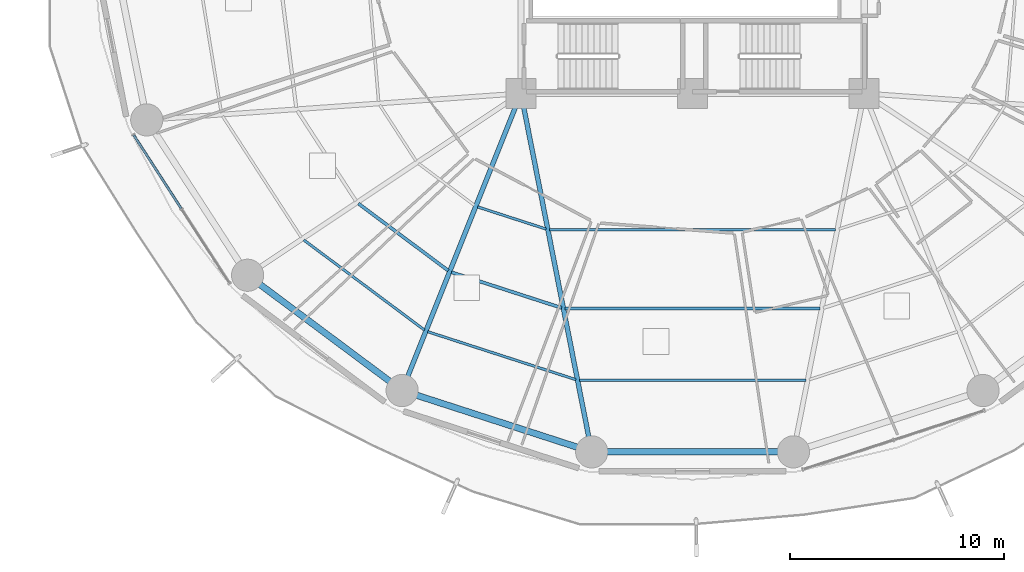
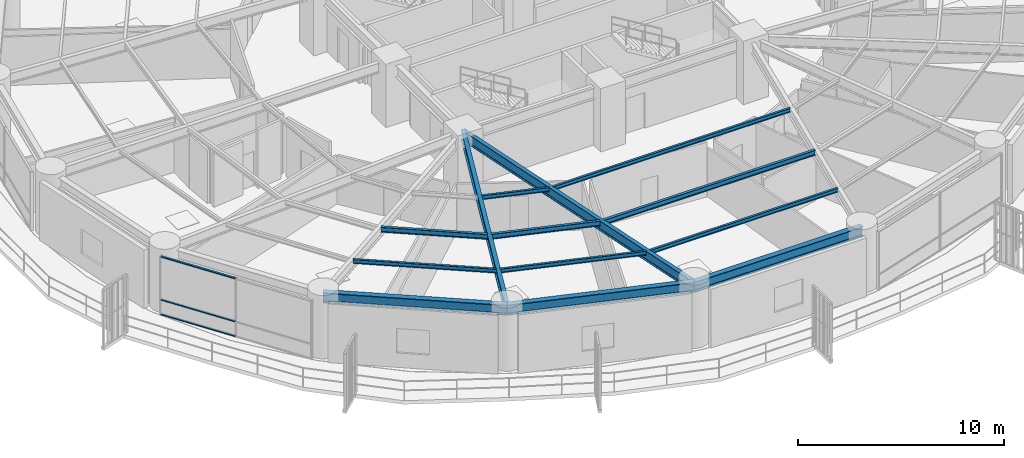
# One storey, part 3 of 32: 13 beams, 3 members, 1 element without a shape of its own.
"""IFC4 building model written with IfcOpenShell, lengths in metres."""

from ifc_helpers import new_model, si_unit, direction, frame, origin, origin_2d, place, context, subcontext, project, spatial, hollow_rectangle, i_section, extrude, material, layer, layer_set, material_profile, profile_set, type_object, element, aggregate, save


model = new_model("IFC4")

# Units and contexts
model_context = context("Model", 3, precision=1e-05, world=origin(), true_north=direction((0.0, 1.0)))
body_context = subcontext(model_context, "Body", "Model", "MODEL_VIEW")
ifc_project = project(units=[si_unit("LENGTHUNIT", "METRE"), si_unit("AREAUNIT", "SQUARE_METRE"), si_unit("VOLUMEUNIT", "CUBIC_METRE"), si_unit("PLANEANGLEUNIT", "RADIAN"), si_unit("MASSUNIT", "GRAM", prefix="KILO")], contexts=[model_context])

# Site, building, storey
site_placement = place(None, origin())
site = spatial("IfcSite", under=ifc_project, at=site_placement, CompositionType="ELEMENT")
building_placement = place(site_placement, origin())
building = spatial("IfcBuilding", under=site, at=building_placement, Name="Kelanora Arch Commons", CompositionType="ELEMENT")
storey_placement = place(building_placement, frame((0.0, 0.0, 56.25)))
storey = spatial("IfcBuildingStorey", under=building, at=storey_placement, Name="L14", CompositionType="ELEMENT", Elevation=56.25)

# Beams
ifc_material_1 = material(Name="Steel S355", Category="steel")
ifc_material_profile_1 = material_profile(ifc_material_1, i_section(OverallWidth=0.14990234375, OverallDepth=0.300048828125, WebThickness=0.007080078125, FlangeThickness=0.0107421875, FilletRadius=0.014892578125, at=origin_2d()), Name="IPE300")
ifc_profile_set_1 = profile_set([ifc_material_profile_1], Name="Steel S355")
beam_type_1 = type_object("IfcBeamType", Name="BM-JST-01", PredefinedType="JOIST", material=ifc_profile_set_1)
beam_1_placement = place(storey_placement, frame((58.42138671875, 45.8623046875, 3.340087890625), z_axis=(0.801478251559, -0.598023922831, 0.0), x_axis=(0.598023922831, 0.801478251559, 0.0)))
element("IfcBeam", 1, at=beam_1_placement, inside=storey, type_object=beam_type_1, Name="Secondary Chord Joist BJB-22 L14", PredefinedType="JOIST", context=body_context, shape_type="SweptSolid", body=[
    extrude(i_section(OverallWidth=0.14990234375, OverallDepth=0.300048828125, WebThickness=0.007080078125, FlangeThickness=0.0107421875, FilletRadius=0.014892578125, at=origin_2d()), origin(), (0.0, 0.0, 1.0), 5.223388671875),
])
beam_2_placement = place(storey_placement, frame((62.7568359375, 42.66162109375, 3.340087890625), z_axis=(0.951412209627, -0.307920131482, 0.0), x_axis=(0.307920131482, 0.951412209627, 0.0)))
element("IfcBeam", 2, at=beam_2_placement, inside=storey, type_object=beam_type_1, Name="Secondary Chord Joist BJB-24 L14", PredefinedType="JOIST", context=body_context, shape_type="SweptSolid", body=[
    extrude(i_section(OverallWidth=0.14990234375, OverallDepth=0.300048828125, WebThickness=0.007080078125, FlangeThickness=0.0107421875, FilletRadius=0.014892578125, at=origin_2d()), origin(), (0.0, 0.0, 1.0), 5.4033203125),
])
beam_3_placement = place(storey_placement, frame((68.063720703125, 40.971435546875, 3.340087890625), z_axis=(1.0, 0.0, 0.0), x_axis=(0.0, 1.0, 0.0)))
element("IfcBeam", 3, at=beam_3_placement, inside=storey, type_object=beam_type_1, Name="Secondary Chord Joist BJB-26 L14", PredefinedType="JOIST", context=body_context, shape_type="SweptSolid", body=[
    extrude(i_section(OverallWidth=0.14990234375, OverallDepth=0.300048828125, WebThickness=0.007080078125, FlangeThickness=0.0107421875, FilletRadius=0.014892578125, at=origin_2d()), origin(), (0.0, 0.0, 1.0), 11.87255859375),
])
ifc_material_profile_2 = material_profile(ifc_material_1, i_section(OverallWidth=0.1201171875, OverallDepth=0.239990234375, WebThickness=0.006103515625, FlangeThickness=0.009765625, FilletRadius=0.014892578125, at=origin_2d()), Name="IPE240")
ifc_profile_set_2 = profile_set([ifc_material_profile_2], Name="Steel S355")
beam_type_2 = type_object("IfcBeamType", Name="BM-JST-02", PredefinedType="JOIST", material=ifc_profile_set_2)
beam_4_placement = place(storey_placement, frame((55.87255859375, 44.16650390625, 3.3701171875), z_axis=(0.80149131963, -0.598006408459, 0.0), x_axis=(0.598006408459, 0.80149131963, 0.0)))
element("IfcBeam", 4, at=beam_4_placement, inside=storey, type_object=beam_type_2, Name="Secondary Chord Joist BJC-22 L14", PredefinedType="JOIST", context=body_context, shape_type="SweptSolid", body=[
    extrude(i_section(OverallWidth=0.1201171875, OverallDepth=0.239990234375, WebThickness=0.006103515625, FlangeThickness=0.009765625, FilletRadius=0.014892578125, at=origin_2d()), origin(), (0.0, 0.0, 1.0), 7.021240234375),
])
beam_5_placement = place(storey_placement, frame((63.9755859375, 45.709228515625, 3.3701171875), z_axis=(0.951422608074, -0.30788800049, 0.0), x_axis=(0.30788800049, 0.951422608074, 0.0)))
element("IfcBeam", 5, at=beam_5_placement, inside=storey, type_object=beam_type_2, Name="Secondary Chord Joist BJA-24 L14", PredefinedType="JOIST", context=body_context, shape_type="SweptSolid", body=[
    extrude(i_section(OverallWidth=0.1201171875, OverallDepth=0.239990234375, WebThickness=0.006103515625, FlangeThickness=0.009765625, FilletRadius=0.014892578125, at=origin_2d()), origin(), (0.0, 0.0, 1.0), 3.359619140625),
])
beam_6_placement = place(storey_placement, frame((61.64892578125, 39.890625, 3.3701171875), z_axis=(0.951410915705, -0.307924129418, 0.0), x_axis=(0.307924129418, 0.951410915705, 0.0)))
element("IfcBeam", 6, at=beam_6_placement, inside=storey, type_object=beam_type_2, Name="Secondary Chord Joist BJC-24 L14", PredefinedType="JOIST", context=body_context, shape_type="SweptSolid", body=[
    extrude(i_section(OverallWidth=0.1201171875, OverallDepth=0.239990234375, WebThickness=0.006103515625, FlangeThickness=0.009765625, FilletRadius=0.014892578125, at=origin_2d()), origin(), (0.0, 0.0, 1.0), 7.260986328125),
])
beam_7_placement = place(storey_placement, frame((67.338134765625, 44.648681640625, 3.3701171875), z_axis=(1.0, 0.0, 0.0), x_axis=(0.0, 1.0, 0.0)))
element("IfcBeam", 7, at=beam_7_placement, inside=storey, type_object=beam_type_2, Name="Secondary Chord Joist BJA-26 L14", PredefinedType="JOIST", context=body_context, shape_type="SweptSolid", body=[
    extrude(i_section(OverallWidth=0.1201171875, OverallDepth=0.239990234375, WebThickness=0.006103515625, FlangeThickness=0.009765625, FilletRadius=0.014892578125, at=origin_2d()), origin(), (0.0, 0.0, 1.0), 13.32373046875),
])
beam_8_placement = place(storey_placement, frame((68.72314453125, 37.628662109375, 3.3701171875), z_axis=(1.0, 0.0, 0.0), x_axis=(0.0, 1.0, 0.0)))
element("IfcBeam", 8, at=beam_8_placement, inside=storey, type_object=beam_type_2, Name="Secondary Chord Joist BJC-26 L14", PredefinedType="JOIST", context=body_context, shape_type="SweptSolid", body=[
    extrude(i_section(OverallWidth=0.1201171875, OverallDepth=0.239990234375, WebThickness=0.006103515625, FlangeThickness=0.009765625, FilletRadius=0.014892578125, at=origin_2d()), origin(), (0.0, 0.0, 1.0), 10.5537109375),
])
ifc_material_profile_3 = material_profile(ifc_material_1, i_section(OverallWidth=0.219970703125, OverallDepth=0.60009765625, WebThickness=0.011962890625, FlangeThickness=0.01904296875, FilletRadius=0.02392578125, at=origin_2d()), Name="IPE600")
ifc_profile_set_3 = profile_set([ifc_material_profile_3], Name="Steel S355")
beam_type_3 = type_object("IfcBeamType", Name="BM-RAD-Z1", PredefinedType="BEAM", material=ifc_profile_set_3)
beam_9_placement = place(storey_placement, frame((66.0, 51.0, 3.18994140625), z_axis=(-0.371300398117, -0.928512797089, 0.0), x_axis=(0.928512797089, -0.371300398117, 0.0)))
element("IfcBeam", 9, at=beam_9_placement, inside=storey, type_object=beam_type_3, Name="Radial Floor Girder BR-24 L14", PredefinedType="BEAM", context=body_context, shape_type="SweptSolid", body=[
    extrude(i_section(OverallWidth=0.219970703125, OverallDepth=0.60009765625, WebThickness=0.011962890625, FlangeThickness=0.01904296875, FilletRadius=0.02392578125, at=origin_2d()), origin(), (0.0, 0.0, 1.0), 14.920654296875),
])
beam_10_placement = place(storey_placement, frame((66.0, 51.0, 3.18994140625), z_axis=(0.19356352044, -0.981087745084, 0.0), x_axis=(0.981087745084, 0.19356352044, 0.0)))
element("IfcBeam", 10, at=beam_10_placement, inside=storey, type_object=beam_type_3, Name="Radial Floor Girder BR-26 L14", PredefinedType="BEAM", context=body_context, shape_type="SweptSolid", body=[
    extrude(i_section(OverallWidth=0.219970703125, OverallDepth=0.60009765625, WebThickness=0.011962890625, FlangeThickness=0.01904296875, FilletRadius=0.02392578125, at=origin_2d()), origin(), (0.0, 0.0, 1.0), 17.036376953125),
])
ifc_material_profile_4 = material_profile(ifc_material_1, i_section(OverallWidth=0.300048828125, OverallDepth=0.60009765625, WebThickness=0.015380859375, FlangeThickness=0.030029296875, FilletRadius=0.027099609375, at=origin_2d()), Name="HEB600")
ifc_profile_set_4 = profile_set([ifc_material_profile_4], Name="Steel S355")
beam_type_4 = type_object("IfcBeamType", Name="BM-SPN-Z1", PredefinedType="SPANDREL", material=ifc_profile_set_4)
beam_11_placement = place(storey_placement, frame((53.255615234375, 42.521728515625, 3.18994140625), z_axis=(0.801467504127, -0.598038326388, 0.0), x_axis=(0.598038326388, 0.801467504127, 0.0)))
element("IfcBeam", 11, at=beam_11_placement, inside=storey, type_object=beam_type_4, Name="Perimeter Spandrel Beam BS-22 L14", PredefinedType="SPANDREL", context=body_context, shape_type="SweptSolid", body=[
    extrude(i_section(OverallWidth=0.300048828125, OverallDepth=0.60009765625, WebThickness=0.015380859375, FlangeThickness=0.030029296875, FilletRadius=0.027099609375, at=origin_2d()), origin(), (0.0, 0.0, 1.0), 8.989013671875),
])
beam_12_placement = place(storey_placement, frame((60.4599609375, 37.14599609375, 3.18994140625), z_axis=(0.951417120402, -0.307904957748, 0.0), x_axis=(0.307904957748, 0.951417120402, 0.0)))
element("IfcBeam", 12, at=beam_12_placement, inside=storey, type_object=beam_type_4, Name="Perimeter Spandrel Beam BS-24 L14", PredefinedType="SPANDREL", context=body_context, shape_type="SweptSolid", body=[
    extrude(i_section(OverallWidth=0.300048828125, OverallDepth=0.60009765625, WebThickness=0.015380859375, FlangeThickness=0.030029296875, FilletRadius=0.027099609375, at=origin_2d()), origin(), (0.0, 0.0, 1.0), 9.288818359375),
])
beam_13_placement = place(storey_placement, frame((69.297607421875, 34.285888671875, 3.18994140625), z_axis=(1.0, 0.0, 0.0), x_axis=(0.0, 1.0, 0.0)))
element("IfcBeam", 13, at=beam_13_placement, inside=storey, type_object=beam_type_4, Name="Perimeter Spandrel Beam BS-26 L14", PredefinedType="SPANDREL", context=body_context, shape_type="SweptSolid", body=[
    extrude(i_section(OverallWidth=0.300048828125, OverallDepth=0.60009765625, WebThickness=0.015380859375, FlangeThickness=0.030029296875, FilletRadius=0.027099609375, at=origin_2d()), origin(), (0.0, 0.0, 1.0), 9.40478515625),
])

# Curtain wall, members
ifc_material_2 = material(Name="Terracotta ceramic-fritted low-E glass and aluminium", Category="masonry")
ifc_layer = layer(ifc_material_2, 0.159912109375)
ifc_layer_set = layer_set([ifc_layer], Name="Terracotta ceramic-fritted low-E glass and aluminium")
curtain_wall_type = type_object("IfcCurtainWallType", Name="CW-SYS-01", PredefinedType="NOTDEFINED", material=ifc_layer_set)
curtain_wall_placement = place(storey_placement, origin())
curtain_wall = element("IfcCurtainWall", 14, at=curtain_wall_placement, inside=storey, type_object=curtain_wall_type, Name="Unitised Curtain Wall L14-B10", PredefinedType="NOTDEFINED")
ifc_material_3 = material(Name="Powder-coated aluminium terracotta", Category="masonry")
ifc_material_profile_5 = material_profile(ifc_material_3, hollow_rectangle(XDim=0.1201171875, YDim=0.06005859375, WallThickness=0.0048828125, InnerFilletRadius=0.0048828125, OuterFilletRadius=0.010009765625, at=origin_2d()), Name="CWT120x60")
ifc_profile_set_5 = profile_set([ifc_material_profile_5], Name="Powder-coated aluminium terracotta")
member_type = type_object("IfcMemberType", Name="CWT-STD", PredefinedType="USERDEFINED", material=ifc_profile_set_5)
member_1_placement = place(storey_placement, frame((47.944091796875, 49.054443359375, 0.030029296875), z_axis=(0.542997414293, -0.839734367566, 0.0), x_axis=(0.839734367566, 0.542997414293, 0.0)))
member_1 = element("IfcMember", 15, at=member_1_placement, type_object=member_type, Name="CW-01 transom 1.1", ObjectType="TRANSOM", PredefinedType="USERDEFINED", context=body_context, shape_type="SweptSolid", body=[
    extrude(hollow_rectangle(XDim=0.1201171875, YDim=0.06005859375, WallThickness=0.0048828125, InnerFilletRadius=0.0048828125, OuterFilletRadius=0.010009765625, at=origin_2d()), origin(), (0.0, 0.0, 1.0), 4.067626953125),
])
member_2_placement = place(storey_placement, frame((47.944091796875, 49.054443359375, 0.89990234375), z_axis=(0.542997414293, -0.839734367566, 0.0), x_axis=(0.839734367566, 0.542997414293, 0.0)))
member_2 = element("IfcMember", 16, at=member_2_placement, type_object=member_type, Name="CW-01 transom 1.2", ObjectType="TRANSOM", PredefinedType="USERDEFINED", context=body_context, shape_type="SweptSolid", body=[
    extrude(hollow_rectangle(XDim=0.1201171875, YDim=0.06005859375, WallThickness=0.0048828125, InnerFilletRadius=0.0048828125, OuterFilletRadius=0.010009765625, at=origin_2d()), origin(), (0.0, 0.0, 1.0), 4.067626953125),
])
member_3_placement = place(storey_placement, frame((47.944091796875, 49.054443359375, 3.445068359375), z_axis=(0.542997414293, -0.839734367566, 0.0), x_axis=(0.839734367566, 0.542997414293, 0.0)))
member_3 = element("IfcMember", 17, at=member_3_placement, type_object=member_type, Name="CW-01 transom 1.3", ObjectType="TRANSOM", PredefinedType="USERDEFINED", context=body_context, shape_type="SweptSolid", body=[
    extrude(hollow_rectangle(XDim=0.1201171875, YDim=0.06005859375, WallThickness=0.0048828125, InnerFilletRadius=0.0048828125, OuterFilletRadius=0.010009765625, at=origin_2d()), origin(), (0.0, 0.0, 1.0), 4.067626953125),
])
aggregate(curtain_wall, [member_1, member_2, member_3])

save(model, "model.ifc")
